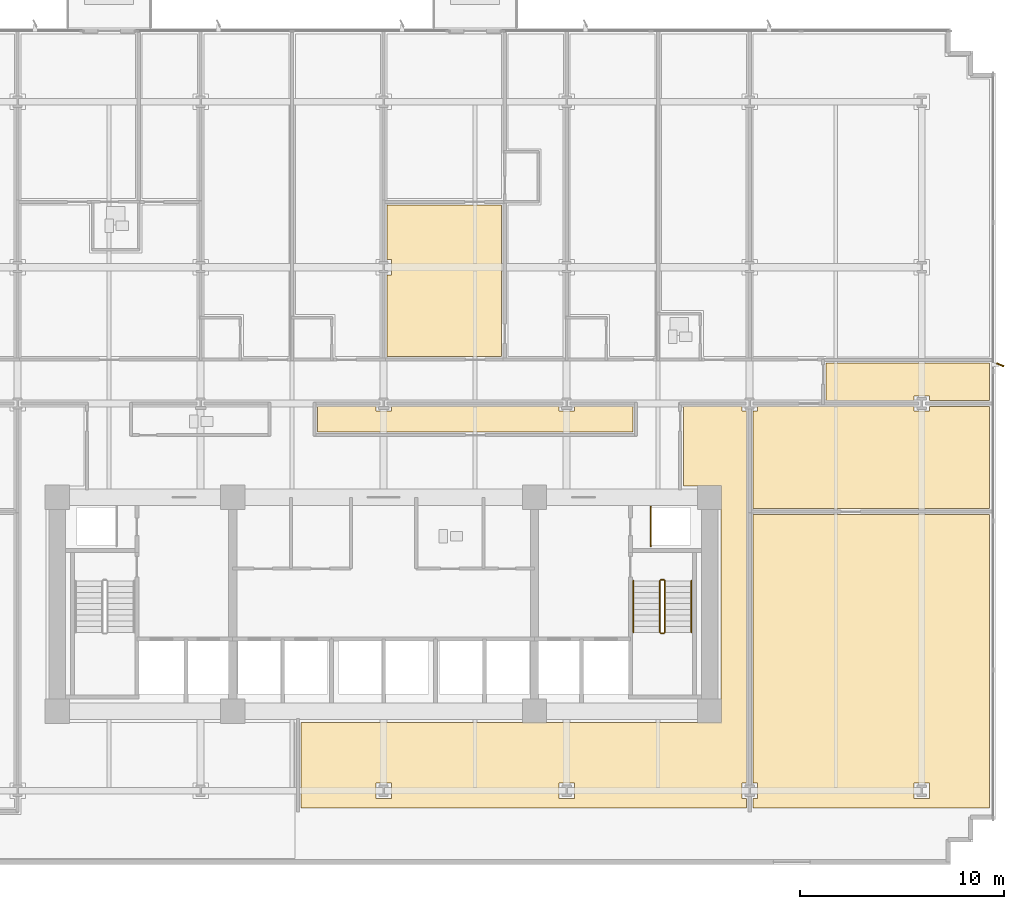
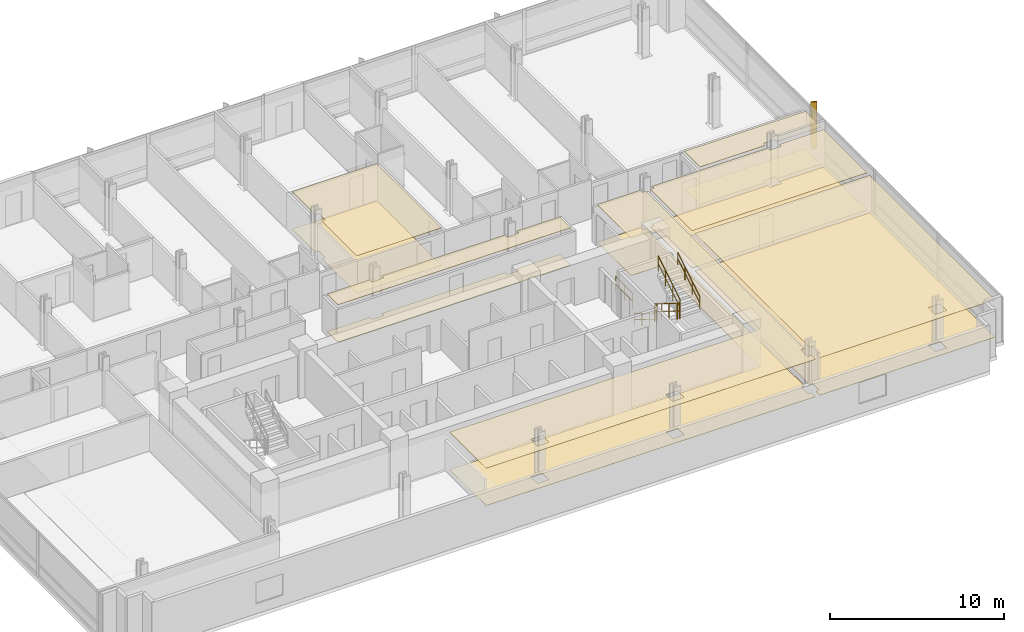
# One storey, part 13 of 16: 12 coverings, 7 railings, 1 shading device.
"""IFC4 building model written with IfcOpenShell, lengths in metres."""

from ifc_helpers import new_model, si_unit, direction, frame, origin, origin_2d, place, context, subcontext, project, spatial, polyline, rectangle, circle, outline, extrude, material, layer, layer_set, type_object, element, save


model = new_model("IFC4")

# Units and contexts
model_context = context("Model", 3, precision=1e-05, world=origin(), true_north=direction((0.0, 1.0)))
body_context = subcontext(model_context, "Body", "Model", "MODEL_VIEW")
ifc_project = project(units=[si_unit("LENGTHUNIT", "METRE"), si_unit("AREAUNIT", "SQUARE_METRE"), si_unit("VOLUMEUNIT", "CUBIC_METRE"), si_unit("PLANEANGLEUNIT", "RADIAN"), si_unit("MASSUNIT", "GRAM", prefix="KILO")], contexts=[model_context])

# Site, building, storey
site_placement = place(None, origin())
site = spatial("IfcSite", under=ifc_project, at=site_placement, CompositionType="ELEMENT")
building_placement = place(site_placement, origin())
building = spatial("IfcBuilding", under=site, at=building_placement, Name="Solmavex Isthmus Hotel", CompositionType="ELEMENT")
storey_placement = place(building_placement, frame((0.0, 0.0, 67.800048828125)))
storey = spatial("IfcBuildingStorey", under=building, at=storey_placement, Name="L18", CompositionType="ELEMENT", Elevation=67.800048828125)

# Coverings
ifc_material_1 = material(Name="Gypsum plasterboard lining", Category="gypsum")
ifc_layer_1 = layer(ifc_material_1, 0.030029296875)
ifc_layer_set_1 = layer_set([ifc_layer_1], Name="Gypsum plasterboard lining")
covering_type_1 = type_object("IfcCoveringType", Name="COV-CEIL-GYP", PredefinedType="CEILING", material=ifc_layer_set_1)
covering_1_placement = place(storey_placement, frame((0.0, 0.0, 2.619873046875)))
element("IfcCovering", 1, at=covering_1_placement, inside=storey, type_object=covering_type_1, Name="Suspended Acoustic Ceiling L18-SL05-FY", PredefinedType="CEILING", context=body_context, shape_type="SweptSolid", body=[
    extrude(outline(polyline([(0.155029296875, 9.16796875), (0.3798828125, 9.16796875), (0.3798828125, 8.407958984375), (0.155029296875, 8.407958984375), (0.155029296875, 4.405029296875), (5.782958984375, 4.405029296875), (5.782958984375, 11.8330078125), (0.155029296875, 11.8330078125), (0.155029296875, 9.16796875)])), origin(), (0.0, 0.0, 1.0), 0.030029296875),
])
covering_2_placement = place(storey_placement, frame((0.0, 0.0, 2.619873046875)))
element("IfcCovering", 2, at=covering_2_placement, inside=storey, type_object=covering_type_1, Name="Suspended Acoustic Ceiling L18-FL11", PredefinedType="CEILING", context=body_context, shape_type="SweptSolid", body=[
    extrude(outline(polyline([(26.02001953125, 2.2548828125), (26.02001953125, 2.47998046875), (26.780029296875, 2.47998046875), (26.780029296875, 2.2548828125), (29.72509765625, 2.2548828125), (29.72509765625, 4.074951171875), (21.70703125, 4.074951171875), (21.70703125, 2.2548828125), (26.02001953125, 2.2548828125)])), origin(), (0.0, 0.0, 1.0), 0.030029296875),
])
covering_3_placement = place(storey_placement, frame((0.0, 0.0, 2.619873046875)))
element("IfcCovering", 3, at=covering_3_placement, inside=storey, type_object=covering_type_1, Name="Suspended Acoustic Ceiling L18-FL12", PredefinedType="CEILING", context=body_context, shape_type="SweptSolid", body=[
    extrude(outline(polyline([(0.3798828125, 1.945068359375), (0.3798828125, 1.719970703125), (-0.3798828125, 1.719970703125), (-0.3798828125, 1.945068359375), (-3.23291015625, 1.945068359375), (-3.23291015625, 0.705078125), (12.22900390625, 0.705078125), (12.22900390625, 1.945068359375), (9.35595703125, 1.945068359375), (9.35595703125, 1.719970703125), (8.595947265625, 1.719970703125), (8.595947265625, 1.945068359375), (0.3798828125, 1.945068359375)])), origin(), (0.0, 0.0, 1.0), 0.030029296875),
])
covering_4_placement = place(storey_placement, frame((0.0, 0.0, 2.619873046875)))
element("IfcCovering", 4, at=covering_4_placement, inside=storey, type_object=covering_type_1, Name="Suspended Acoustic Ceiling L18-FL14", PredefinedType="CEILING", context=body_context, shape_type="SweptSolid", body=[
    extrude(outline(polyline([(26.780029296875, 1.945068359375), (26.780029296875, 1.719970703125), (26.02001953125, 1.719970703125), (26.02001953125, 1.945068359375), (18.33203125, 1.945068359375), (18.33203125, 1.719970703125), (18.10693359375, 1.719970703125), (18.10693359375, -3.044921875), (29.72509765625, -3.044921875), (29.72509765625, 1.945068359375), (26.780029296875, 1.945068359375)])), origin(), (0.0, 0.0, 1.0), 0.030029296875),
])
covering_5_placement = place(storey_placement, frame((0.0, 0.0, 2.619873046875)))
element("IfcCovering", 5, at=covering_5_placement, inside=storey, type_object=covering_type_1, Name="Suspended Acoustic Ceiling L18-FL15", PredefinedType="CEILING", context=body_context, shape_type="SweptSolid", body=[
    extrude(outline(polyline([(17.797119140625, 1.719970703125), (17.572021484375, 1.719970703125), (17.572021484375, 1.945068359375), (14.698974609375, 1.945068359375), (14.698974609375, -1.945068359375), (16.554931640625, -1.945068359375), (16.554931640625, -13.554931640625), (-4.044921875, -13.554931640625), (-4.044921875, -17.7451171875), (17.797119140625, -17.7451171875), (17.797119140625, -17.280029296875), (17.572021484375, -17.280029296875), (17.572021484375, -16.52001953125), (17.797119140625, -16.52001953125), (17.797119140625, 1.719970703125)]), holes=[polyline([(8.595947265625, -17.280029296875), (8.595947265625, -16.52001953125), (9.35595703125, -16.52001953125), (9.35595703125, -17.280029296875), (8.595947265625, -17.280029296875)]), polyline([(-0.3798828125, -17.280029296875), (-0.3798828125, -16.52001953125), (0.3798828125, -16.52001953125), (0.3798828125, -17.280029296875), (-0.3798828125, -17.280029296875)])]), origin(), (0.0, 0.0, 1.0), 0.030029296875),
])
covering_6_placement = place(storey_placement, frame((0.0, 0.0, 2.619873046875)))
element("IfcCovering", 6, at=covering_6_placement, inside=storey, type_object=covering_type_1, Name="Suspended Acoustic Ceiling L18-FL18", PredefinedType="CEILING", context=body_context, shape_type="SweptSolid", body=[
    extrude(outline(polyline([(18.10693359375, -16.52001953125), (18.33203125, -16.52001953125), (18.33203125, -17.280029296875), (18.10693359375, -17.280029296875), (18.10693359375, -17.7451171875), (29.72509765625, -17.7451171875), (29.72509765625, -3.35498046875), (18.10693359375, -3.35498046875), (18.10693359375, -16.52001953125)]), holes=[polyline([(26.02001953125, -17.280029296875), (26.02001953125, -16.52001953125), (26.780029296875, -16.52001953125), (26.780029296875, -17.280029296875), (26.02001953125, -17.280029296875)])]), origin(), (0.0, 0.0, 1.0), 0.030029296875),
])
ifc_material_2 = material(Name="Travertine natural stone", Category="masonry")
ifc_layer_2 = layer(ifc_material_2, 0.02490234375)
ifc_layer_set_2 = layer_set([ifc_layer_2], Name="Travertine natural stone")
covering_type_2 = type_object("IfcCoveringType", Name="COV-FLOR-STN", PredefinedType="FLOORING", material=ifc_layer_set_2)
covering_7_placement = place(storey_placement, origin())
element("IfcCovering", 7, at=covering_7_placement, inside=storey, type_object=covering_type_2, Name="Stone and Timber Floor Finish L18-SL05-FY", PredefinedType="FLOORING", context=body_context, shape_type="SweptSolid", body=[
    extrude(outline(polyline([(0.155029296875, 9.16796875), (0.3798828125, 9.16796875), (0.3798828125, 8.407958984375), (0.155029296875, 8.407958984375), (0.155029296875, 4.405029296875), (5.782958984375, 4.405029296875), (5.782958984375, 11.8330078125), (0.155029296875, 11.8330078125), (0.155029296875, 9.16796875)])), origin(), (0.0, 0.0, 1.0), 0.02490234375),
])
covering_8_placement = place(storey_placement, origin())
element("IfcCovering", 8, at=covering_8_placement, inside=storey, type_object=covering_type_2, Name="Stone and Timber Floor Finish L18-FL11", PredefinedType="FLOORING", context=body_context, shape_type="SweptSolid", body=[
    extrude(outline(polyline([(26.02001953125, 2.2548828125), (26.02001953125, 2.47998046875), (26.780029296875, 2.47998046875), (26.780029296875, 2.2548828125), (29.72509765625, 2.2548828125), (29.72509765625, 4.074951171875), (21.70703125, 4.074951171875), (21.70703125, 2.2548828125), (26.02001953125, 2.2548828125)])), origin(), (0.0, 0.0, 1.0), 0.02490234375),
])
covering_9_placement = place(storey_placement, origin())
element("IfcCovering", 9, at=covering_9_placement, inside=storey, type_object=covering_type_2, Name="Stone and Timber Floor Finish L18-FL12", PredefinedType="FLOORING", context=body_context, shape_type="SweptSolid", body=[
    extrude(outline(polyline([(0.3798828125, 1.945068359375), (0.3798828125, 1.719970703125), (-0.3798828125, 1.719970703125), (-0.3798828125, 1.945068359375), (-3.23291015625, 1.945068359375), (-3.23291015625, 0.705078125), (12.22900390625, 0.705078125), (12.22900390625, 1.945068359375), (9.35595703125, 1.945068359375), (9.35595703125, 1.719970703125), (8.595947265625, 1.719970703125), (8.595947265625, 1.945068359375), (0.3798828125, 1.945068359375)])), origin(), (0.0, 0.0, 1.0), 0.02490234375),
])
covering_10_placement = place(storey_placement, origin())
element("IfcCovering", 10, at=covering_10_placement, inside=storey, type_object=covering_type_2, Name="Stone and Timber Floor Finish L18-FL14", PredefinedType="FLOORING", context=body_context, shape_type="SweptSolid", body=[
    extrude(outline(polyline([(26.780029296875, 1.945068359375), (26.780029296875, 1.719970703125), (26.02001953125, 1.719970703125), (26.02001953125, 1.945068359375), (18.33203125, 1.945068359375), (18.33203125, 1.719970703125), (18.10693359375, 1.719970703125), (18.10693359375, -3.044921875), (29.72509765625, -3.044921875), (29.72509765625, 1.945068359375), (26.780029296875, 1.945068359375)])), origin(), (0.0, 0.0, 1.0), 0.02490234375),
])
covering_11_placement = place(storey_placement, origin())
element("IfcCovering", 11, at=covering_11_placement, inside=storey, type_object=covering_type_2, Name="Stone and Timber Floor Finish L18-FL15", PredefinedType="FLOORING", context=body_context, shape_type="SweptSolid", body=[
    extrude(outline(polyline([(17.797119140625, 1.719970703125), (17.572021484375, 1.719970703125), (17.572021484375, 1.945068359375), (14.698974609375, 1.945068359375), (14.698974609375, -1.945068359375), (16.554931640625, -1.945068359375), (16.554931640625, -13.554931640625), (-4.044921875, -13.554931640625), (-4.044921875, -17.7451171875), (17.797119140625, -17.7451171875), (17.797119140625, -17.280029296875), (17.572021484375, -17.280029296875), (17.572021484375, -16.52001953125), (17.797119140625, -16.52001953125), (17.797119140625, 1.719970703125)]), holes=[polyline([(8.595947265625, -17.280029296875), (8.595947265625, -16.52001953125), (9.35595703125, -16.52001953125), (9.35595703125, -17.280029296875), (8.595947265625, -17.280029296875)]), polyline([(-0.3798828125, -17.280029296875), (-0.3798828125, -16.52001953125), (0.3798828125, -16.52001953125), (0.3798828125, -17.280029296875), (-0.3798828125, -17.280029296875)])]), origin(), (0.0, 0.0, 1.0), 0.02490234375),
])
covering_12_placement = place(storey_placement, origin())
element("IfcCovering", 12, at=covering_12_placement, inside=storey, type_object=covering_type_2, Name="Stone and Timber Floor Finish L18-FL18", PredefinedType="FLOORING", context=body_context, shape_type="SweptSolid", body=[
    extrude(outline(polyline([(18.10693359375, -16.52001953125), (18.33203125, -16.52001953125), (18.33203125, -17.280029296875), (18.10693359375, -17.280029296875), (18.10693359375, -17.7451171875), (29.72509765625, -17.7451171875), (29.72509765625, -3.35498046875), (18.10693359375, -3.35498046875), (18.10693359375, -16.52001953125)]), holes=[polyline([(26.02001953125, -17.280029296875), (26.02001953125, -16.52001953125), (26.780029296875, -16.52001953125), (26.780029296875, -17.280029296875), (26.02001953125, -17.280029296875)])]), origin(), (0.0, 0.0, 1.0), 0.02490234375),
])

# Railings
ifc_material_3 = material(Name="Clear low-E laminated glass", Category="glass")
ifc_layer_3 = layer(ifc_material_3, 0.080078125)
ifc_layer_set_3 = layer_set([ifc_layer_3], Name="Clear low-E laminated glass")
railing_type_1 = type_object("IfcRailingType", Name="RAIL-ATRIUM-1120", PredefinedType="BALUSTRADE", material=ifc_layer_set_3)
railing_1_placement = place(storey_placement, frame((13.10009765625, -4.89990234375, 0.0)))
element("IfcRailing", 13, at=railing_1_placement, inside=storey, type_object=railing_type_1, Name="Guardrail Balustrade L18-RSE-01", PredefinedType="BALUSTRADE", context=body_context, shape_type="SweptSolid", body=[
    extrude(circle(Radius=0.02392578125, at=origin_2d()), frame((0.0, 0.0, 1.1259765625), z_axis=(0.0, 1.0, 0.0), x_axis=(-1.0, 0.0, 0.0)), (0.0, 0.0, 1.0), 1.949951171875),
    extrude(circle(Radius=0.02392578125, at=origin_2d()), frame((0.0, 0.0, 0.574951171875), z_axis=(0.0, 1.0, 0.0), x_axis=(-1.0, 0.0, 0.0)), (0.0, 0.0, 1.0), 1.949951171875),
    extrude(circle(Radius=0.02099609375, at=origin_2d()), origin(), (0.0, 0.0, 1.0), 1.101806640625),
    extrude(circle(Radius=0.02099609375, at=origin_2d()), frame((0.0, 0.97509765625, 0.0)), (0.0, 0.0, 1.0), 1.101806640625),
    extrude(circle(Radius=0.02099609375, at=origin_2d()), frame((0.0, 1.949951171875, 0.0)), (0.0, 0.0, 1.0), 1.101806640625),
])
ifc_material_4 = material(Name="Stainless steel 316", Category="steel")
ifc_layer_4 = layer(ifc_material_4, 0.06005859375)
ifc_layer_set_4 = layer_set([ifc_layer_4], Name="Stainless steel 316")
railing_type_2 = type_object("IfcRailingType", Name="RAIL-STAIR-GD", PredefinedType="GUARDRAIL", material=ifc_layer_set_4)
railing_2_placement = place(storey_placement, frame((13.550048828125, -6.60009765625, 0.17236328125)))
element("IfcRailing", 14, at=railing_2_placement, inside=storey, type_object=railing_type_2, Name="L18 ST-2 stair guard 1", PredefinedType="GUARDRAIL", context=body_context, shape_type="SweptSolid", body=[
    extrude(circle(Radius=0.02392578125, at=origin_2d()), frame((0.0, 0.0, 1.09619140625), z_axis=(0.0, -0.851400495292, 0.524516154772), x_axis=(1.0, 0.0, 0.0)), (0.0, 0.0, 1.0), 2.9599609375),
    extrude(circle(Radius=0.02392578125, at=origin_2d()), frame((0.0, 0.0, 0.56005859375), z_axis=(0.0, -0.851400495292, 0.524516154772), x_axis=(1.0, 0.0, 0.0)), (0.0, 0.0, 1.0), 2.9599609375),
    extrude(circle(Radius=0.02099609375, at=origin_2d()), origin(), (0.0, 0.0, 1.0), 1.072021484375),
    extrude(circle(Radius=0.02099609375, at=origin_2d()), frame((0.0, -0.840087890625, 0.517578125)), (0.0, 0.0, 1.0), 1.072021484375),
    extrude(circle(Radius=0.02099609375, at=origin_2d()), frame((0.0, -1.679931640625, 1.034912109375)), (0.0, 0.0, 1.0), 1.072021484375),
    extrude(circle(Radius=0.02099609375, at=origin_2d()), frame((0.0, -2.52001953125, 1.552490234375)), (0.0, 0.0, 1.0), 1.072021484375),
])
railing_3_placement = place(storey_placement, frame((13.60009765625, -9.169921875, 1.724853515625)))
element("IfcRailing", 15, at=railing_3_placement, inside=storey, type_object=railing_type_2, Name="L18 ST-2 stair guard 2", PredefinedType="GUARDRAIL", context=body_context, shape_type="SweptSolid", body=[
    extrude(circle(Radius=0.02392578125, at=origin_2d()), frame((0.0, 0.0, 1.09619140625), z_axis=(1.0, 0.0, 0.0), x_axis=(0.0, 1.0, 0.0)), (0.0, 0.0, 1.0), 0.14990234375),
    extrude(circle(Radius=0.02392578125, at=origin_2d()), frame((0.0, 0.0, 0.56005859375), z_axis=(1.0, 0.0, 0.0), x_axis=(0.0, 1.0, 0.0)), (0.0, 0.0, 1.0), 0.14990234375),
    extrude(circle(Radius=0.02099609375, at=origin_2d()), origin(), (0.0, 0.0, 1.0), 1.072021484375),
    extrude(circle(Radius=0.02099609375, at=origin_2d()), frame((0.14990234375, 0.0, 0.0)), (0.0, 0.0, 1.0), 1.072021484375),
])
railing_4_placement = place(storey_placement, frame((13.800048828125, -9.1201171875, 1.8974609375)))
element("IfcRailing", 16, at=railing_4_placement, inside=storey, type_object=railing_type_2, Name="L18 ST-2 stair guard 3", PredefinedType="GUARDRAIL", context=body_context, shape_type="SweptSolid", body=[
    extrude(circle(Radius=0.02392578125, at=origin_2d()), frame((0.0, 0.0, 1.09619140625), z_axis=(0.0, 0.851400495292, 0.524516154772), x_axis=(-1.0, 0.0, 0.0)), (0.0, 0.0, 1.0), 2.9599609375),
    extrude(circle(Radius=0.02392578125, at=origin_2d()), frame((0.0, 0.0, 0.56005859375), z_axis=(0.0, 0.851400495292, 0.524516154772), x_axis=(-1.0, 0.0, 0.0)), (0.0, 0.0, 1.0), 2.9599609375),
    extrude(circle(Radius=0.02099609375, at=origin_2d()), origin(), (0.0, 0.0, 1.0), 1.072021484375),
    extrude(circle(Radius=0.02099609375, at=origin_2d()), frame((0.0, 0.840087890625, 0.517578125)), (0.0, 0.0, 1.0), 1.072021484375),
    extrude(circle(Radius=0.02099609375, at=origin_2d()), frame((0.0, 1.679931640625, 1.034912109375)), (0.0, 0.0, 1.0), 1.072021484375),
    extrude(circle(Radius=0.02099609375, at=origin_2d()), frame((0.0, 2.52001953125, 1.552490234375)), (0.0, 0.0, 1.0), 1.072021484375),
])
railing_5_placement = place(storey_placement, frame((13.60009765625, -6.550048828125, 0.0)))
element("IfcRailing", 17, at=railing_5_placement, inside=storey, type_object=railing_type_2, Name="L18 ST-2 stair guard 4", PredefinedType="GUARDRAIL", context=body_context, shape_type="SweptSolid", body=[
    extrude(circle(Radius=0.02392578125, at=origin_2d()), frame((0.0, 0.0, 1.09619140625), z_axis=(1.0, 0.0, 0.0), x_axis=(0.0, 1.0, 0.0)), (0.0, 0.0, 1.0), 0.14990234375),
    extrude(circle(Radius=0.02392578125, at=origin_2d()), frame((0.0, 0.0, 0.56005859375), z_axis=(1.0, 0.0, 0.0), x_axis=(0.0, 1.0, 0.0)), (0.0, 0.0, 1.0), 0.14990234375),
    extrude(circle(Radius=0.02099609375, at=origin_2d()), origin(), (0.0, 0.0, 1.0), 1.072021484375),
    extrude(circle(Radius=0.02099609375, at=origin_2d()), frame((0.14990234375, 0.0, 0.0)), (0.0, 0.0, 1.0), 1.072021484375),
])
ifc_layer_5 = layer(ifc_material_4, 0.050048828125)
ifc_layer_set_5 = layer_set([ifc_layer_5], Name="Stainless steel 316")
railing_type_3 = type_object("IfcRailingType", Name="RAIL-STAIR-HR", PredefinedType="HANDRAIL", material=ifc_layer_set_5)
railing_6_placement = place(storey_placement, frame((12.25, -6.60009765625, 0.17236328125)))
element("IfcRailing", 18, at=railing_6_placement, inside=storey, type_object=railing_type_3, Name="L18 ST-2 stair handrail 1", PredefinedType="HANDRAIL", context=body_context, shape_type="SweptSolid", body=[
    extrude(circle(Radius=0.02392578125, at=origin_2d()), frame((0.0, 0.0, 0.8759765625), z_axis=(0.0, -0.851400495292, 0.524516154772), x_axis=(1.0, 0.0, 0.0)), (0.0, 0.0, 1.0), 2.9599609375),
    extrude(circle(Radius=0.02392578125, at=origin_2d()), frame((0.0, 0.0, 0.449951171875), z_axis=(0.0, -0.851400495292, 0.524516154772), x_axis=(1.0, 0.0, 0.0)), (0.0, 0.0, 1.0), 2.9599609375),
    extrude(circle(Radius=0.02099609375, at=origin_2d()), origin(), (0.0, 0.0, 1.0), 0.851806640625),
    extrude(circle(Radius=0.02099609375, at=origin_2d()), frame((0.0, -0.840087890625, 0.517578125)), (0.0, 0.0, 1.0), 0.851806640625),
    extrude(circle(Radius=0.02099609375, at=origin_2d()), frame((0.0, -1.679931640625, 1.034912109375)), (0.0, 0.0, 1.0), 0.851806640625),
    extrude(circle(Radius=0.02099609375, at=origin_2d()), frame((0.0, -2.52001953125, 1.552490234375)), (0.0, 0.0, 1.0), 0.851806640625),
])
railing_7_placement = place(storey_placement, frame((15.10009765625, -9.1201171875, 1.8974609375)))
element("IfcRailing", 19, at=railing_7_placement, inside=storey, type_object=railing_type_3, Name="L18 ST-2 stair handrail 2", PredefinedType="HANDRAIL", context=body_context, shape_type="SweptSolid", body=[
    extrude(circle(Radius=0.02392578125, at=origin_2d()), frame((0.0, 0.0, 0.8759765625), z_axis=(0.0, 0.851400495292, 0.524516154772), x_axis=(-1.0, 0.0, 0.0)), (0.0, 0.0, 1.0), 2.9599609375),
    extrude(circle(Radius=0.02392578125, at=origin_2d()), frame((0.0, 0.0, 0.449951171875), z_axis=(0.0, 0.851400495292, 0.524516154772), x_axis=(-1.0, 0.0, 0.0)), (0.0, 0.0, 1.0), 2.9599609375),
    extrude(circle(Radius=0.02099609375, at=origin_2d()), origin(), (0.0, 0.0, 1.0), 0.851806640625),
    extrude(circle(Radius=0.02099609375, at=origin_2d()), frame((0.0, 0.840087890625, 0.517578125)), (0.0, 0.0, 1.0), 0.851806640625),
    extrude(circle(Radius=0.02099609375, at=origin_2d()), frame((0.0, 1.679931640625, 1.034912109375)), (0.0, 0.0, 1.0), 0.851806640625),
    extrude(circle(Radius=0.02099609375, at=origin_2d()), frame((0.0, 2.52001953125, 1.552490234375)), (0.0, 0.0, 1.0), 0.851806640625),
])

# Shading device
ifc_material_5 = material(Name="Aluminium alloy 6063-T6", Category="aluminium")
shading_device_type = type_object("IfcShadingDeviceType", Name="SHD-FIN-CHAMP", PredefinedType="USERDEFINED", material=ifc_material_5)
shading_device_placement = place(storey_placement, frame((30.239990234375, 4.0, -0.14013671875), z_axis=(0.0, 0.0, 1.0), x_axis=(0.913545457643, -0.406736643076, 0.0)))
element("IfcShadingDevice", 20, at=shading_device_placement, inside=storey, type_object=shading_device_type, Name="Anodised Aluminium Solar Fin L18-E1", ObjectType="SOLAR_FIN", PredefinedType="USERDEFINED", context=body_context, shape_type="SweptSolid", body=[
    extrude(rectangle(XDim=0.3798828125, YDim=0.070068359375, at=origin_2d()), origin(), (0.0, 0.0, 1.0), 3.330078125),
])

save(model, "model.ifc")
